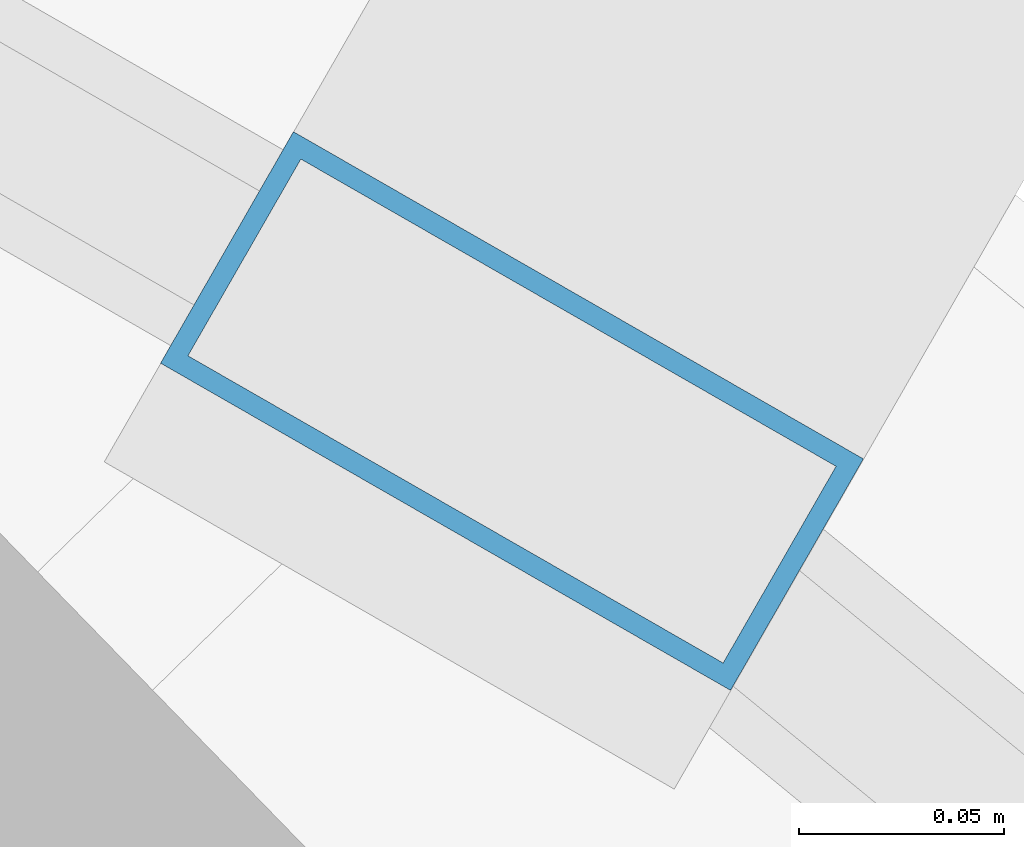
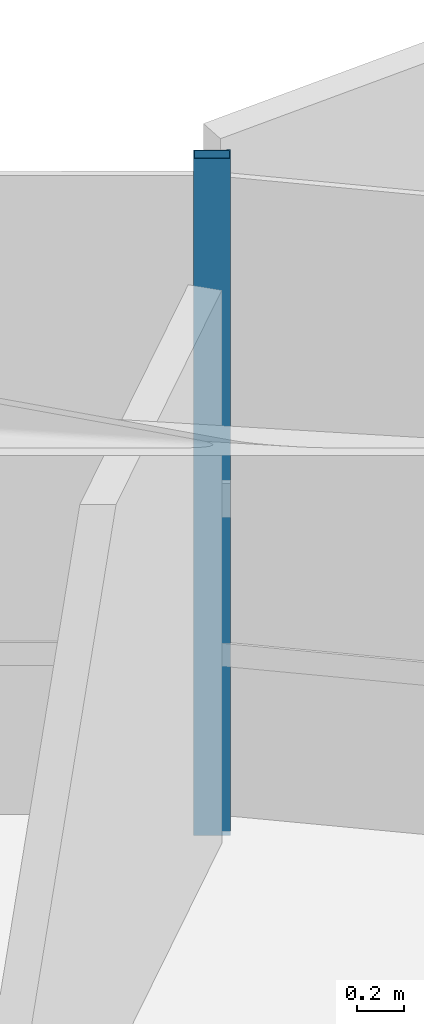
# One storey, part 19 of 38: 1 member, 1 element without a shape of its own.
"""IFC4 building model written with IfcOpenShell, lengths in metres."""

from ifc_helpers import new_model, si_unit, direction, frame, origin, origin_2d, place, context, subcontext, project, spatial, hollow_rectangle, extrude, source, transform, mapped, material, layer, layer_set, material_profile, profile_set, type_object, element, aggregate, save


model = new_model("IFC4")

# Units and contexts
model_context = context("Model", 3, precision=1e-05, world=origin(), true_north=direction((0.0, 1.0)))
body_context = subcontext(model_context, "Body", "Model", "MODEL_VIEW")
ifc_project = project(units=[si_unit("LENGTHUNIT", "METRE"), si_unit("AREAUNIT", "SQUARE_METRE"), si_unit("VOLUMEUNIT", "CUBIC_METRE"), si_unit("PLANEANGLEUNIT", "RADIAN"), si_unit("MASSUNIT", "GRAM", prefix="KILO"), si_unit("THERMODYNAMICTEMPERATUREUNIT", "KELVIN")], contexts=[model_context])

# Site, building, storey
site_placement = place(None, origin())
site = spatial("IfcSite", under=ifc_project, at=site_placement, CompositionType="ELEMENT")
building_placement = place(site_placement, origin())
building = spatial("IfcBuilding", under=site, at=building_placement, Name="Kethvar Cultural Tower", CompositionType="ELEMENT")
storey_placement = place(building_placement, frame((0.0, 0.0, 29.60009765625)))
storey = spatial("IfcBuildingStorey", under=building, at=storey_placement, Name="L06", CompositionType="ELEMENT", Elevation=29.60009765625)

# Curtain wall, member
ifc_material = material(Name="Aluminium 6063-T6", Category="aluminium")
ifc_layer = layer(ifc_material, 0.179931640625, Name="Aluminium 6063-T6", Category="aluminium")
ifc_layer_set = layer_set([ifc_layer], Name="Aluminium 6063-T6 (180 mm)")
curtain_wall_type = type_object("IfcCurtainWallType", Name="CW-SYS-02-Z1", PredefinedType="NOTDEFINED", material=ifc_layer_set)
curtain_wall_placement = place(storey_placement, origin())
curtain_wall = element("IfcCurtainWall", 1, at=curtain_wall_placement, inside=storey, type_object=curtain_wall_type, Name="L06 Curtain Wall Run 01", PredefinedType="NOTDEFINED")
ifc_material_profile = material_profile(ifc_material, hollow_rectangle(XDim=0.06494140625, YDim=0.159912109375, WallThickness=0.0048828125, at=origin_2d()), Name="Aluminium 6063-T6 — RHS160x65x5")
ifc_profile_set = profile_set([ifc_material_profile], Name="Aluminium 6063-T6 — RHS160x65x5")
member_type = type_object("IfcMemberType", Name="CW-SYS-02-Z1-MUL", PredefinedType="MULLION", material=ifc_profile_set)
shared_shape = source(origin(), body_context, "Body", "SweptSolid", [
    extrude(hollow_rectangle(XDim=0.06494140625, YDim=0.159912109375, WallThickness=0.0048828125, at=origin_2d()), origin(), (0.0, 0.0, 1.0), 3.5498046875),
])
member_placement = place(storey_placement, frame((67.28369140625, 47.766357421875, 0.0), z_axis=(0.0, 0.0, 1.0), x_axis=(-0.497821863918, -0.867279304379, 0.0)))
member = element("IfcMember", 2, at=member_placement, type_object=member_type, Name="CW-L06-R01 Mullion 6", PredefinedType="MULLION", context=body_context, shape_type="MappedRepresentation", body=[
    mapped(shared_shape, transform((0.0, 0.0, 0.0), scale=1.0)),
])
aggregate(curtain_wall, [member])

save(model, "model.ifc")
